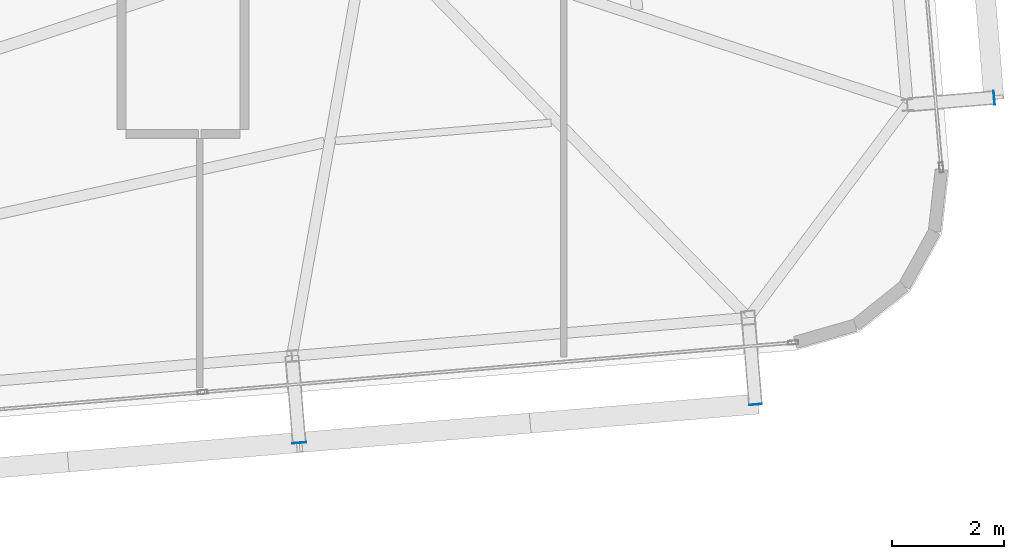
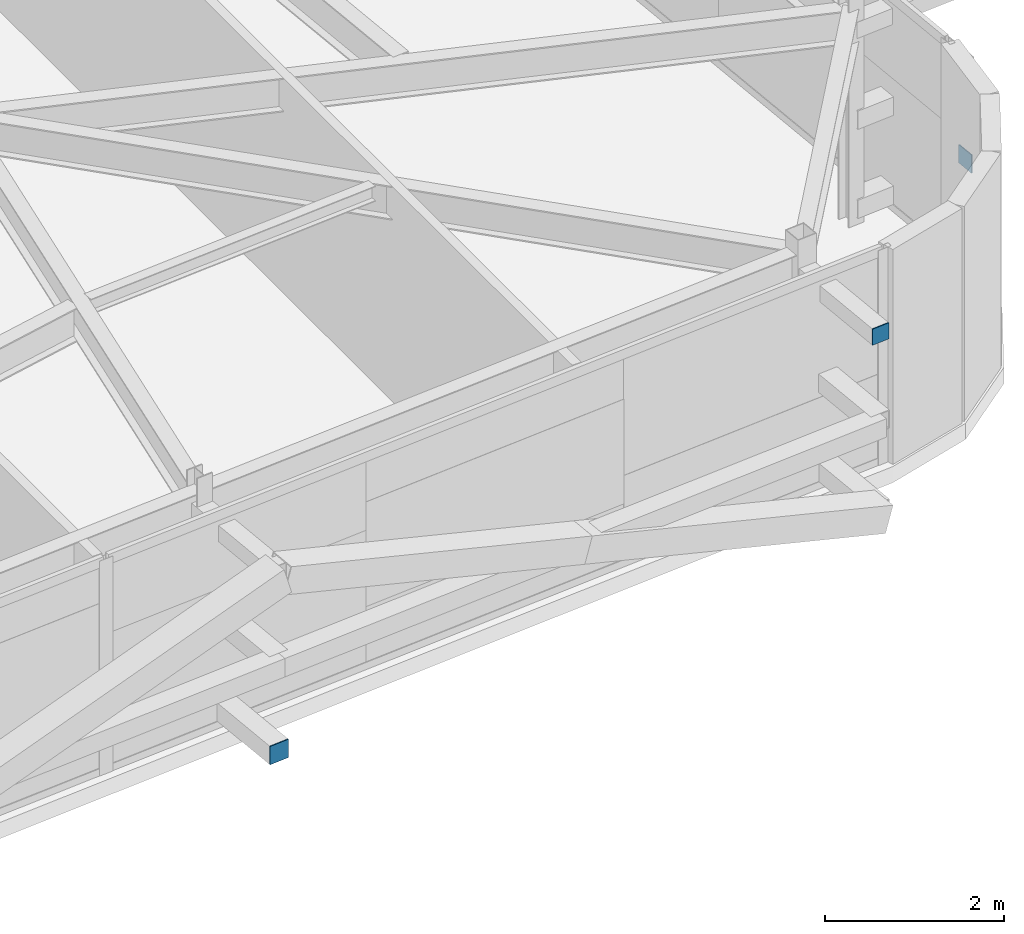
# One storey, part 30 of 39: 3 plates.
"""IFC4 building model written with IfcOpenShell, lengths in metres."""

from ifc_helpers import new_model, si_unit, direction, frame, origin, origin_2d, place, context, subcontext, project, spatial, rectangle, extrude, source, transform, mapped, material, layer, layer_set, type_object, element, save


model = new_model("IFC4")

# Units and contexts
model_context = context("Model", 3, precision=1e-05, world=origin(), true_north=direction((0.0, 1.0)))
body_context = subcontext(model_context, "Body", "Model", "MODEL_VIEW")
ifc_project = project(units=[si_unit("LENGTHUNIT", "METRE"), si_unit("AREAUNIT", "SQUARE_METRE"), si_unit("VOLUMEUNIT", "CUBIC_METRE"), si_unit("PLANEANGLEUNIT", "RADIAN"), si_unit("MASSUNIT", "GRAM", prefix="KILO")], contexts=[model_context])

# Site, building, storey
site_placement = place(None, origin())
site = spatial("IfcSite", under=ifc_project, at=site_placement, CompositionType="ELEMENT")
building_placement = place(site_placement, origin())
building = spatial("IfcBuilding", under=site, at=building_placement, Name="Taldren Reach Tower", CompositionType="ELEMENT")
storey_placement = place(building_placement, frame((0.0, 0.0, 175.699951171875)))
storey = spatial("IfcBuildingStorey", under=building, at=storey_placement, Name="L53", CompositionType="ELEMENT", Elevation=175.699951171875)

# Plates
ifc_material_1 = material(Name="Steel Gr 350 (C350L0)", Category="steel")
ifc_layer_1 = layer(ifc_material_1, 0.011962890625)
ifc_layer_set_1 = layer_set([ifc_layer_1], Name="Steel Gr 350 (C350L0)")
plate_type_1 = type_object("IfcPlateType", Name="PL-CAP-250", PredefinedType="SHEET", material=ifc_layer_set_1)
shared_shape_1 = source(origin(), body_context, "Body", "SweptSolid", [
    extrude(rectangle(XDim=0.25, YDim=0.011962890625, at=origin_2d()), origin(), (0.0, 0.0, 1.0), 0.25),
])
plate_1_placement = place(storey_placement, frame((50.775146484375, 3.281494140625, 0.094970703125), z_axis=(0.0, 0.0, 1.0), x_axis=(0.99649285925, 0.083677843332, 0.0)))
element("IfcPlate", 1, at=plate_1_placement, inside=storey, type_object=plate_type_1, Name="Tie strut end cap plate B4-S5 L53", PredefinedType="SHEET", context=body_context, shape_type="MappedRepresentation", body=[
    mapped(shared_shape_1, transform((0.0, 0.0, 0.0), scale=1.0)),
])
shared_shape_2 = source(origin(), body_context, "Body", "SweptSolid", [
    extrude(rectangle(XDim=0.011962890625, YDim=0.25, at=origin_2d()), origin(), (0.0, 0.0, 1.0), 0.25),
])
plate_2_placement = place(storey_placement, frame((63.188720703125, 9.44775390625, 0.094970703125), z_axis=(0.0, 0.0, 1.0), x_axis=(0.99649285925, 0.083677843332, 0.0)))
element("IfcPlate", 2, at=plate_2_placement, inside=storey, type_object=plate_type_1, Name="Tie strut end cap plate B4-E1 L53", PredefinedType="SHEET", context=body_context, shape_type="MappedRepresentation", body=[
    mapped(shared_shape_2, transform((0.0, 0.0, 0.0), scale=1.0)),
])
ifc_material_2 = material(Name="Steel Gr 450 (C450L0)", Category="steel")
ifc_layer_2 = layer(ifc_material_2, 0.011962890625)
ifc_layer_set_2 = layer_set([ifc_layer_2], Name="Steel Gr 450 (C450L0)")
plate_type_2 = type_object("IfcPlateType", Name="PL-CAP-220", PredefinedType="SHEET", material=ifc_layer_set_2)
shared_shape_3 = source(origin(), body_context, "Body", "SweptSolid", [
    extrude(rectangle(XDim=0.219970703125, YDim=0.011962890625, at=origin_2d()), origin(), (0.0, 0.0, 1.0), 0.219970703125),
])
plate_3_placement = place(storey_placement, frame((58.926513671875, 3.9658203125, 2.5400390625), z_axis=(0.0, 0.0, 1.0), x_axis=(0.99649285925, 0.083677843332, 0.0)))
element("IfcPlate", 3, at=plate_3_placement, inside=storey, type_object=plate_type_2, Name="Tie strut end cap plate B4-S6 L53", PredefinedType="SHEET", context=body_context, shape_type="MappedRepresentation", body=[
    mapped(shared_shape_3, transform((0.0, 0.0, 0.0), scale=1.0)),
])

save(model, "model.ifc")
